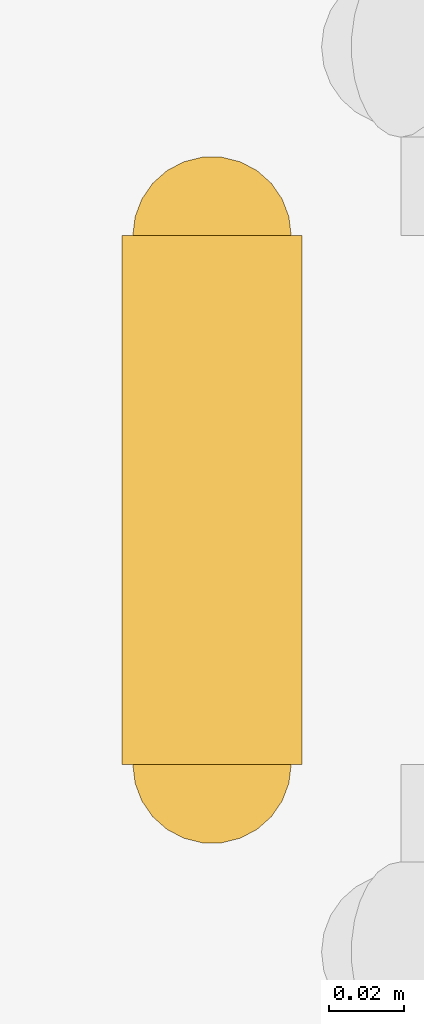
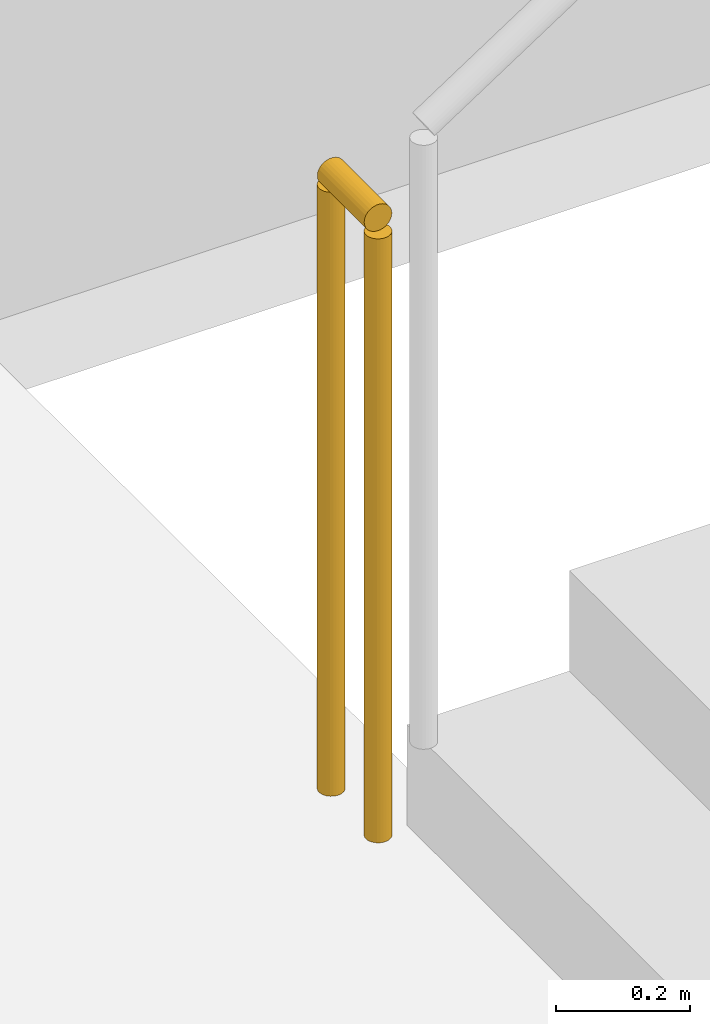
# One storey, part 21 of 26: 1 railing.
"""IFC4 building model written with IfcOpenShell, lengths in metres."""

import ifcopenshell
import ifcopenshell.guid

model = None  # the IFC model being written
_history = None  # IfcOwnerHistory: only IFC2X3 demands one
_inside = {}  # id of a spatial element -> (the spatial element, [elements in it])
_under = {}  # id of a project, library or spatial element -> (it, [spatial elements below it])
_declared = {}  # id of a project -> (the project, [libraries it declares])
_typed = {}  # id of a type object -> (the type object, [elements of that type])
_made_of = {}  # id of a material, layer set ... -> (it, [elements and type objects made of it])


def new_model(schema):
    """Start an empty IFC model of exactly this schema.

    Asked for "IFC4X3", IfcOpenShell would pick the latest addendum, in which some entities
    have other attributes; the version numbers below select the first issue.
    IFC2X3 requires an IfcOwnerHistory on every rooted entity: one is made here for all.
    """
    global model, _history
    if schema == "IFC4X3":
        model = ifcopenshell.file(schema_version=(4, 3, 0, 0))
    else:
        model = ifcopenshell.file(schema=schema)
    _inside.clear()
    _under.clear()
    _declared.clear()
    _typed.clear()
    _made_of.clear()
    _history = None
    if model.schema == "IFC2X3":
        org = make("IfcOrganization", Name="unknown")
        user = make(
            "IfcPersonAndOrganization",
            ThePerson=make("IfcPerson", FamilyName="unknown"),
            TheOrganization=org,
        )
        app = make(
            "IfcApplication",
            ApplicationDeveloper=org,
            Version="unknown",
            ApplicationFullName="unknown",
            ApplicationIdentifier="unknown",
        )
        _history = make(
            "IfcOwnerHistory",
            OwningUser=user,
            OwningApplication=app,
            ChangeAction="ADDED",
            CreationDate=0,
        )
    return model


def make(cls, **values):
    """One entity of the class cls with the attributes given. An attribute that is None is left unset."""
    return model.create_entity(
        cls, **{name: value for name, value in values.items() if value is not None}
    )


def rooted(cls, **values):
    """An entity with a GlobalId (a new one), such as an element, a storey or a relation."""
    return make(cls, GlobalId=ifcopenshell.guid.new(), OwnerHistory=_history, **values)


def si_unit(unit_type, name, prefix=None):
    """IfcSIUnit, for example si_unit("LENGTHUNIT", "METRE", prefix="MILLI")."""
    return make("IfcSIUnit", UnitType=unit_type, Prefix=prefix, Name=name)


def assignment(units):
    """IfcUnitAssignment: the units of a project."""
    return None if units is None else make("IfcUnitAssignment", Units=units)


def point(xyz):
    """IfcCartesianPoint."""
    return None if xyz is None else make("IfcCartesianPoint", Coordinates=xyz)


def direction(xyz):
    """IfcDirection."""
    return None if xyz is None else make("IfcDirection", DirectionRatios=xyz)


def frame(location, z_axis=None, x_axis=None):
    """IfcAxis2Placement3D, a coordinate frame: its origin and axes. An axis left out is left unset."""
    return make(
        "IfcAxis2Placement3D",
        Location=point(location),
        Axis=direction(z_axis),
        RefDirection=direction(x_axis),
    )


def frame_2d(location, x_axis=None):
    """IfcAxis2Placement2D, a coordinate frame in the plane: its origin and x axis."""
    return make(
        "IfcAxis2Placement2D", Location=point(location), RefDirection=direction(x_axis)
    )


def origin():
    """The frame at (0, 0, 0) with its axes left unset."""
    return frame((0.0, 0.0, 0.0))


def origin_2d():
    """The frame at (0, 0) in the plane with its x axis left unset."""
    return frame_2d((0.0, 0.0))


def place(relative_to, where):
    """IfcLocalPlacement: puts the frame where relative to a parent placement (None: the world)."""
    return make(
        "IfcLocalPlacement", PlacementRelTo=relative_to, RelativePlacement=where
    )


def context(
    kind, dimensions, precision=None, world=None, true_north=None, identifier=None
):
    """IfcGeometricRepresentationContext, for example the 3D "Model" context."""
    return make(
        "IfcGeometricRepresentationContext",
        ContextIdentifier=identifier,
        ContextType=kind,
        CoordinateSpaceDimension=dimensions,
        Precision=precision,
        WorldCoordinateSystem=world,
        TrueNorth=true_north,
    )


def subcontext(parent, identifier, kind, view, scale=None):
    """IfcGeometricRepresentationSubContext, for example "Body" below "Model"."""
    return make(
        "IfcGeometricRepresentationSubContext",
        ContextIdentifier=identifier,
        ContextType=kind,
        ParentContext=parent,
        TargetScale=scale,
        TargetView=view,
    )


def project(units=None, contexts=None):
    """IfcProject with its units and contexts."""
    return rooted(
        "IfcProject",
        Name="project",
        RepresentationContexts=contexts,
        UnitsInContext=assignment(units),
    )


def spatial(cls, under=None, at=None, **own):
    """A site, building, storey or space (cls), placed at a placement, below another one or the project."""
    s = rooted(cls, ObjectPlacement=at, **own)
    if under is not None:
        _under.setdefault(under.id(), (under, []))[1].append(s)
    return s


def profile(cls, at=None, kind="AREA", **sizes):
    """A parametric profile (cls). Its sizes go by their IFC names, for example OverallWidth=200.0."""
    return make(cls, ProfileType=kind, Position=at, **sizes)


def circle(**sizes):
    """IfcCircleProfileDef."""
    return profile("IfcCircleProfileDef", **sizes)


def extrude(swept, where, along, depth):
    """IfcExtrudedAreaSolid: the profile swept, set in the frame where, extruded along a direction by depth."""
    return make(
        "IfcExtrudedAreaSolid",
        SweptArea=swept,
        Position=where,
        ExtrudedDirection=direction(along),
        Depth=depth,
    )


def shape(context_of_items, identifier, shape_type, items):
    """IfcShapeRepresentation: the items that make up one representation, for example the "Body"."""
    return make(
        "IfcShapeRepresentation",
        ContextOfItems=context_of_items,
        RepresentationIdentifier=identifier,
        RepresentationType=shape_type,
        Items=items,
    )


def material(Name=None, Category=None):
    """IfcMaterial."""
    return make("IfcMaterial", Name=Name, Category=Category)


def made_of(thing, what):
    """Note that an element or type object is made of a material, layer set ...; save() writes the relation."""
    if what is not None:
        _made_of.setdefault(what.id(), (what, []))[1].append(thing)
    return thing


def type_object(cls, material=None, **own):
    """A type object (cls), such as IfcWallType, which elements share."""
    return made_of(rooted(cls, **own), material)


def element(
    cls,
    number,
    at=None,
    inside=None,
    cuts=None,
    type_object=None,
    material=None,
    context=None,
    identifier="Body",
    shape_type=None,
    held_by="IfcProductDefinitionShape",
    body=None,
    shapes=None,
    **own,
):
    """One element of the class cls, such as IfcWall. Its Tag is "e" and its number.

    at: its placement. inside: the storey or other place that contains it. cuts: it is an
    opening in that element (IfcRelVoidsElement). A single representation is given by context,
    identifier, shape_type and body (its items); several are given by shapes. held_by: the class
    of the entity that holds the representations. save() writes the other relations.
    """
    e = rooted(cls, Tag="e%d" % number, ObjectPlacement=at, **own)
    if body is not None:
        shapes = [shape(context, identifier, shape_type, body)]
    if shapes is not None:
        e.Representation = make(held_by, Representations=shapes)
    if inside is not None:
        _inside.setdefault(inside.id(), (inside, []))[1].append(e)
    if cuts is not None:
        rooted(
            "IfcRelVoidsElement", RelatingBuildingElement=cuts, RelatedOpeningElement=e
        )
    if type_object is not None:
        _typed.setdefault(type_object.id(), (type_object, []))[1].append(e)
    return made_of(e, material)


def aggregate(whole, parts):
    """IfcRelAggregates: a whole, such as a stair, and the parts it consists of."""
    return rooted("IfcRelAggregates", RelatingObject=whole, RelatedObjects=parts)


def save(model, path):
    """Write the relations noted so far, then the file.

    IfcRelAggregates (storeys below a building ...), IfcRelContainedInSpatialStructure (elements
    in a storey), IfcRelDefinesByType, IfcRelAssociatesMaterial and IfcRelDeclares: one each for
    every whole, place, type object, material and project.
    """
    for whole, parts in _under.values():
        aggregate(whole, parts)
    for where, things in _inside.values():
        rooted(
            "IfcRelContainedInSpatialStructure",
            RelatedElements=things,
            RelatingStructure=where,
        )
    for kind, things in _typed.values():
        rooted("IfcRelDefinesByType", RelatedObjects=things, RelatingType=kind)
    for what, things in _made_of.values():
        rooted("IfcRelAssociatesMaterial", RelatedObjects=things, RelatingMaterial=what)
    for by, libraries in _declared.values():
        rooted("IfcRelDeclares", RelatingContext=by, RelatedDefinitions=libraries)
    model.write(path)


model = new_model("IFC4")

# Units and contexts
model_context = context("Model", 3, precision=1e-05, world=origin(), true_north=direction((0.0, 1.0)))
body_context = subcontext(model_context, "Body", "Model", "MODEL_VIEW")
ifc_project = project(units=[si_unit("LENGTHUNIT", "METRE"), si_unit("AREAUNIT", "SQUARE_METRE"), si_unit("VOLUMEUNIT", "CUBIC_METRE"), si_unit("PLANEANGLEUNIT", "RADIAN"), si_unit("MASSUNIT", "GRAM", prefix="KILO")], contexts=[model_context])

# Site, building, storey
site_placement = place(None, origin())
site = spatial("IfcSite", under=ifc_project, at=site_placement, CompositionType="ELEMENT")
building_placement = place(site_placement, origin())
building = spatial("IfcBuilding", under=site, at=building_placement, Name="Mirazonda Arch Towers", CompositionType="ELEMENT")
storey_placement = place(building_placement, frame((0.0, 0.0, 114.800048828125)))
storey = spatial("IfcBuildingStorey", under=building, at=storey_placement, Name="L32", CompositionType="ELEMENT", Elevation=114.800048828125)

# Railing
ifc_material = material(Name="Architectural Brushed Steel S355", Category="steel")
railing_type = type_object("IfcRailingType", Name="GUARD-STAIR-1120", PredefinedType="GUARDRAIL", material=ifc_material)
railing_placement = place(storey_placement, frame((13.800048828125, 14.64990234375, 0.0)))
element("IfcRailing", 1, at=railing_placement, inside=storey, type_object=railing_type, Name="L32 ST-T1S stair guard 4", PredefinedType="GUARDRAIL", context=body_context, shape_type="SweptSolid", body=[
    extrude(circle(Radius=0.02392578125, at=origin_2d()), frame((0.0, 0.0, 1.1259765625), z_axis=(0.0, 1.0, 0.0), x_axis=(-1.0, 0.0, 0.0)), (0.0, 0.0, 1.0), 0.14013671875),
    extrude(circle(Radius=0.02099609375, at=origin_2d()), origin(), (0.0, 0.0, 1.0), 1.101806640625),
    extrude(circle(Radius=0.02099609375, at=origin_2d()), frame((0.0, 0.14013671875, 0.0)), (0.0, 0.0, 1.0), 1.101806640625),
])

save(model, "model.ifc")
